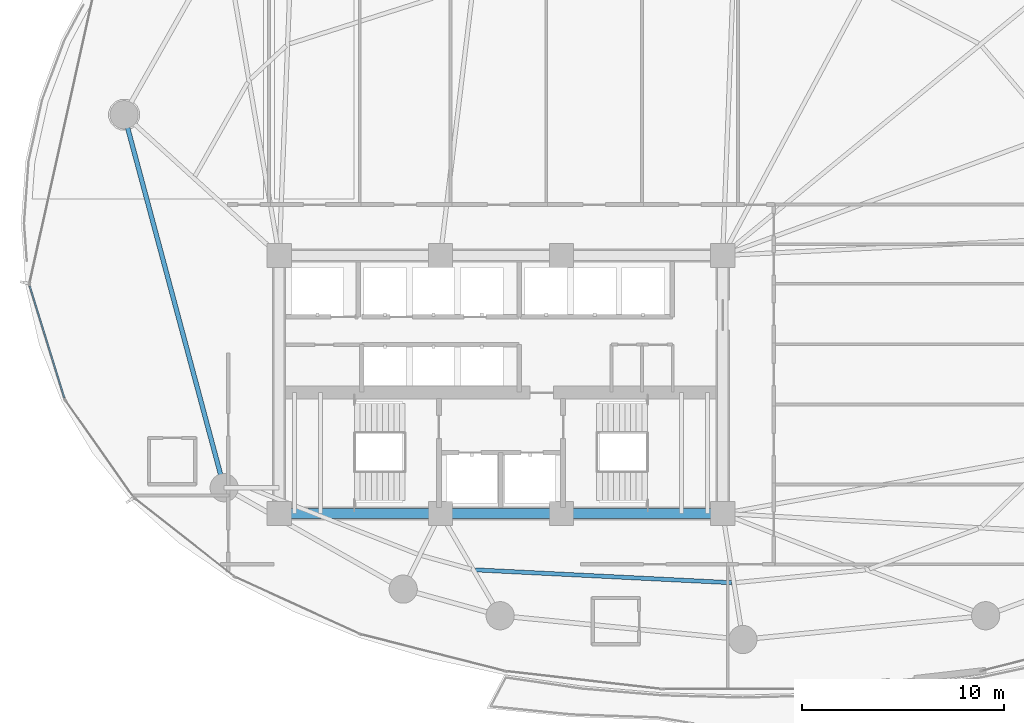
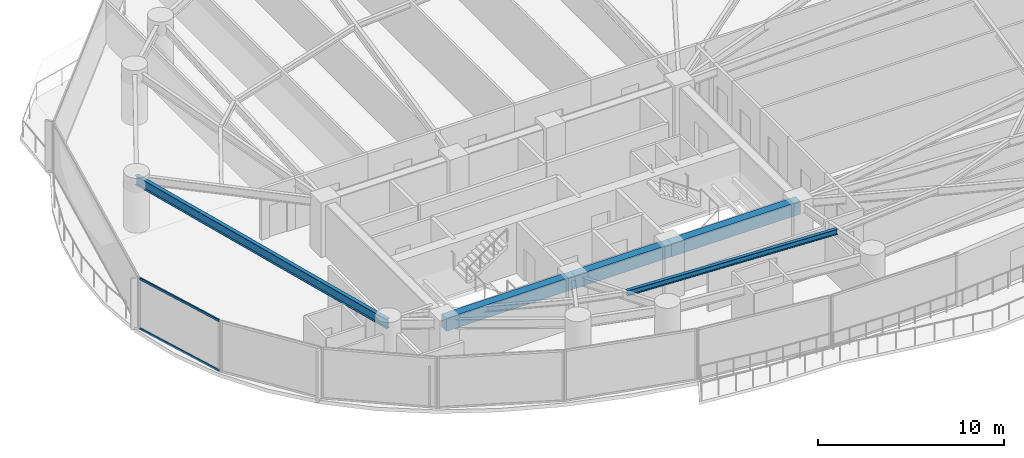
# One storey, part 7 of 33: 5 beams, 2 members, 1 element without a shape of its own.
"""IFC4 building model written with IfcOpenShell, lengths in metres."""

from ifc_helpers import new_model, si_unit, direction, frame, origin, origin_2d, place, context, subcontext, project, spatial, rectangle, hollow_rectangle, i_section, extrude, material, layer, layer_set, material_profile, profile_set, type_object, element, aggregate, save


model = new_model("IFC4")

# Units and contexts
model_context = context("Model", 3, precision=1e-05, world=origin(), true_north=direction((0.0, 1.0)))
body_context = subcontext(model_context, "Body", "Model", "MODEL_VIEW")
ifc_project = project(units=[si_unit("LENGTHUNIT", "METRE"), si_unit("AREAUNIT", "SQUARE_METRE"), si_unit("VOLUMEUNIT", "CUBIC_METRE"), si_unit("PLANEANGLEUNIT", "RADIAN"), si_unit("MASSUNIT", "GRAM", prefix="KILO")], contexts=[model_context])

# Site, building, storey
site_placement = place(None, origin())
site = spatial("IfcSite", under=ifc_project, at=site_placement, CompositionType="ELEMENT")
building_placement = place(site_placement, origin())
building = spatial("IfcBuilding", under=site, at=building_placement, Name="Kazevale Care Tower and Concert Hall", CompositionType="ELEMENT")
storey_placement = place(building_placement, frame((0.0, 0.0, 49.199951171875)))
storey = spatial("IfcBuildingStorey", under=building, at=storey_placement, Name="L12", CompositionType="ELEMENT", Elevation=49.199951171875)

# Curtain wall, members
ifc_material_1 = material(Name="Aluminium 6063-T6 and Low-E Glass", Category="aluminium")
ifc_layer = layer(ifc_material_1, 0.179931640625)
ifc_layer_set = layer_set([ifc_layer], Name="Aluminium 6063-T6 and Low-E Glass")
curtain_wall_type = type_object("IfcCurtainWallType", Name="Waist & Upper Residential Curtain Wall CW-4", PredefinedType="NOTDEFINED", material=ifc_layer_set)
curtain_wall_placement = place(storey_placement, origin())
curtain_wall = element("IfcCurtainWall", 1, at=curtain_wall_placement, inside=storey, type_object=curtain_wall_type, Name="cw:L12:f12", PredefinedType="NOTDEFINED")
ifc_material_2 = material(Name="Aluminium 6063-T6", Category="aluminium")
ifc_material_profile_1 = material_profile(ifc_material_2, hollow_rectangle(XDim=0.080078125, YDim=0.139892578125, WallThickness=0.00390625, at=origin_2d()), Name="ALU80x140x4")
ifc_profile_set_1 = profile_set([ifc_material_profile_1], Name="Aluminium 6063-T6")
member_type = type_object("IfcMemberType", Name="CW-4 Transom ALU80x140x4", PredefinedType="USERDEFINED", material=ifc_profile_set_1)
member_1_placement = place(storey_placement, frame((11.347412109375, 29.33447265625, 0.0400390625), z_axis=(-0.296117563823, 0.955151500232, 0.0), x_axis=(-0.955151500232, -0.296117563823, 0.0)))
member_1 = element("IfcMember", 2, at=member_1_placement, type_object=member_type, Name="CW-4 transom 1.1", ObjectType="TRANSOM", PredefinedType="USERDEFINED", context=body_context, shape_type="SweptSolid", body=[
    extrude(hollow_rectangle(XDim=0.080078125, YDim=0.139892578125, WallThickness=0.00390625, at=origin_2d()), origin(), (0.0, 0.0, 1.0), 5.8076171875),
])
member_2_placement = place(storey_placement, frame((11.347412109375, 29.33447265625, 3.320068359375), z_axis=(-0.296117563823, 0.955151500232, 0.0), x_axis=(-0.955151500232, -0.296117563823, 0.0)))
member_2 = element("IfcMember", 3, at=member_2_placement, type_object=member_type, Name="CW-4 transom 1.2", ObjectType="TRANSOM", PredefinedType="USERDEFINED", context=body_context, shape_type="SweptSolid", body=[
    extrude(hollow_rectangle(XDim=0.080078125, YDim=0.139892578125, WallThickness=0.00390625, at=origin_2d()), origin(), (0.0, 0.0, 1.0), 5.8076171875),
])
aggregate(curtain_wall, [member_1, member_2])

# Beams
ifc_material_3 = material(Name="Concrete C60", Category="concrete")
ifc_material_profile_2 = material_profile(ifc_material_3, rectangle(XDim=0.5, YDim=0.85009765625, at=origin_2d()), Name="RC-B500x850")
ifc_profile_set_2 = profile_set([ifc_material_profile_2], Name="Concrete C60")
beam_type_1 = type_object("IfcBeamType", Name="Core Coupling Beam RC500x850", PredefinedType="LINTEL", material=ifc_profile_set_2)
beam_1_placement = place(storey_placement, frame((22.0, 23.60009765625, 2.93505859375), z_axis=(1.0, 0.0, 0.0), x_axis=(0.0, 1.0, 0.0)))
element("IfcBeam", 4, at=beam_1_placement, inside=storey, type_object=beam_type_1, Name="beam:L12:coretie:1", PredefinedType="LINTEL", context=body_context, shape_type="SweptSolid", body=[
    extrude(rectangle(XDim=0.5, YDim=0.85009765625, at=origin_2d()), origin(), (0.0, 0.0, 1.0), 8.0),
])
beam_2_placement = place(storey_placement, frame((30.0, 23.60009765625, 2.93505859375), z_axis=(1.0, 0.0, 0.0), x_axis=(0.0, 1.0, 0.0)))
element("IfcBeam", 5, at=beam_2_placement, inside=storey, type_object=beam_type_1, Name="beam:L12:coretie:2", PredefinedType="LINTEL", context=body_context, shape_type="SweptSolid", body=[
    extrude(rectangle(XDim=0.5, YDim=0.85009765625, at=origin_2d()), origin(), (0.0, 0.0, 1.0), 6.0),
])
beam_3_placement = place(storey_placement, frame((36.0, 23.60009765625, 2.93505859375), z_axis=(1.0, 0.0, 0.0), x_axis=(0.0, 1.0, 0.0)))
element("IfcBeam", 6, at=beam_3_placement, inside=storey, type_object=beam_type_1, Name="beam:L12:coretie:3", PredefinedType="LINTEL", context=body_context, shape_type="SweptSolid", body=[
    extrude(rectangle(XDim=0.5, YDim=0.85009765625, at=origin_2d()), origin(), (0.0, 0.0, 1.0), 8.0),
])
ifc_material_4 = material(Name="Steel ASTM A572 Gr 50", Category="steel")
ifc_material_profile_3 = material_profile(ifc_material_4, i_section(OverallWidth=0.22900390625, OverallDepth=0.612060546875, WebThickness=0.011962890625, FlangeThickness=0.01953125, at=origin_2d()), Name="W610x125")
ifc_profile_set_3 = profile_set([ifc_material_profile_3], Name="Steel ASTM A572 Gr 50")
beam_type_2 = type_object("IfcBeamType", Name="Ring Spandrel Beam W610x125", PredefinedType="SPANDREL", material=ifc_profile_set_3)
beam_4_placement = place(storey_placement, frame((14.31005859375, 43.3798828125, 3.053955078125), z_axis=(0.258960352031, -0.965887952133, 0.0), x_axis=(0.965887952133, 0.258960352031, 0.0)))
element("IfcBeam", 7, at=beam_4_placement, inside=storey, type_object=beam_type_2, Name="beam:L12:ring:09", PredefinedType="SPANDREL", context=body_context, shape_type="SweptSolid", body=[
    extrude(i_section(OverallWidth=0.22900390625, OverallDepth=0.612060546875, WebThickness=0.011962890625, FlangeThickness=0.01953125, at=origin_2d()), origin(), (0.0, 0.0, 1.0), 19.1533203125),
])
ifc_material_profile_4 = material_profile(ifc_material_4, i_section(OverallWidth=0.205078125, OverallDepth=0.35400390625, WebThickness=0.009521484375, FlangeThickness=0.016845703125, at=origin_2d()), Name="W360x79")
ifc_profile_set_4 = profile_set([ifc_material_profile_4], Name="Steel ASTM A572 Gr 50")
beam_type_3 = type_object("IfcBeamType", Name="Secondary Floor Joist W360x79", PredefinedType="JOIST", material=ifc_profile_set_4)
beam_5_placement = place(storey_placement, frame((31.73291015625, 20.805908203125, 3.18310546875), z_axis=(0.998743186005, -0.050120339262, 0.0), x_axis=(0.050120339262, 0.998743186005, 0.0)))
element("IfcBeam", 8, at=beam_5_placement, inside=storey, type_object=beam_type_3, Name="beam:L12:joist:12", PredefinedType="JOIST", context=body_context, shape_type="SweptSolid", body=[
    extrude(i_section(OverallWidth=0.205078125, OverallDepth=0.35400390625, WebThickness=0.009521484375, FlangeThickness=0.016845703125, at=origin_2d()), origin(), (0.0, 0.0, 1.0), 12.728271484375),
])

save(model, "model.ifc")
